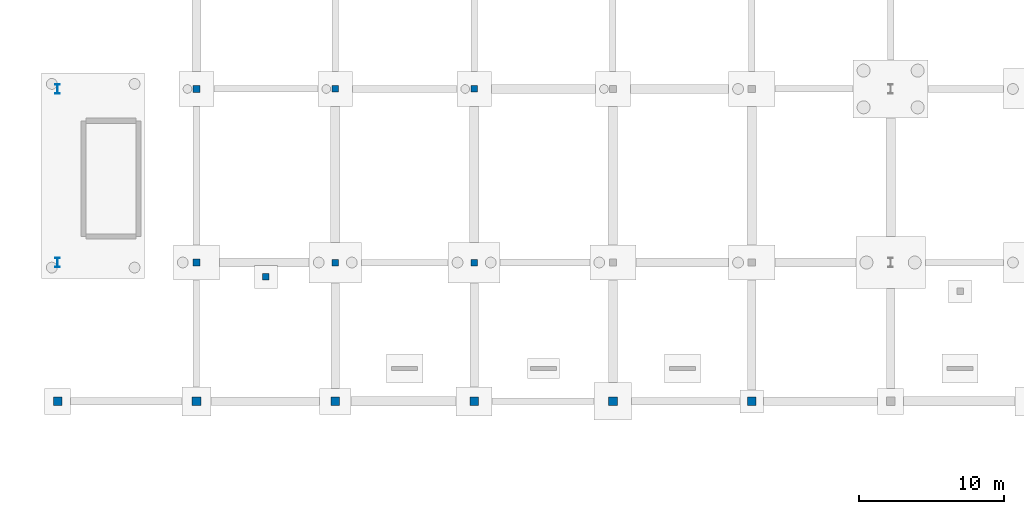
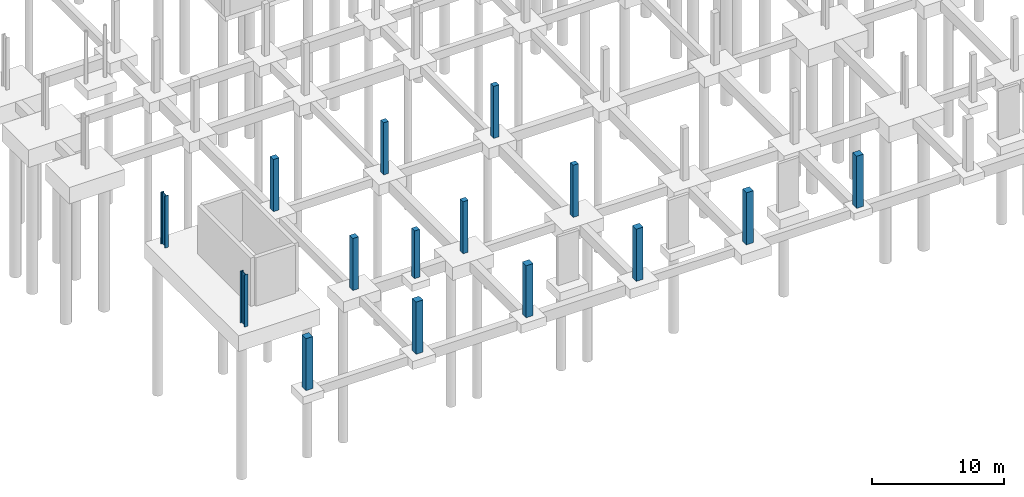
# One storey, part 7 of 31: 15 columns.
"""IFC4 building model written with IfcOpenShell, lengths in metres."""

from ifc_helpers import new_model, si_unit, direction, frame, origin, origin_2d, place, context, subcontext, project, spatial, rectangle, i_section, extrude, material, material_profile, profile_set, type_object, element, save


model = new_model("IFC4")

# Units and contexts
model_context = context("Model", 3, precision=1e-05, world=origin(), true_north=direction((0.0, 1.0)))
body_context = subcontext(model_context, "Body", "Model", "MODEL_VIEW")
ifc_project = project(units=[si_unit("LENGTHUNIT", "METRE"), si_unit("AREAUNIT", "SQUARE_METRE"), si_unit("VOLUMEUNIT", "CUBIC_METRE"), si_unit("PLANEANGLEUNIT", "RADIAN"), si_unit("MASSUNIT", "GRAM", prefix="KILO")], contexts=[model_context])

# Site, building, storey
site_placement = place(None, origin())
site = spatial("IfcSite", under=ifc_project, at=site_placement, CompositionType="ELEMENT")
building_placement = place(site_placement, origin())
building = spatial("IfcBuilding", under=site, at=building_placement, Name="Merenkruunu Market Hall", CompositionType="ELEMENT")
storey_placement = place(building_placement, frame((0.0, 0.0, -4.800048828125)))
storey = spatial("IfcBuildingStorey", under=building, at=storey_placement, Name="B1", CompositionType="ELEMENT", Elevation=-4.800048828125)

# Columns
ifc_material_1 = material(Name="Steel S355ML", Category="steel")
ifc_material_profile_1 = material_profile(ifc_material_1, i_section(OverallWidth=0.300048828125, OverallDepth=0.64990234375, WebThickness=0.01611328125, FlangeThickness=0.031005859375, FilletRadius=0.027099609375, at=origin_2d()), Name="HEB 650")
ifc_profile_set_1 = profile_set([ifc_material_profile_1], Name="Steel S355ML")
column_type_1 = type_object("IfcColumnType", Name="Structural Column C01", PredefinedType="COLUMN", material=ifc_profile_set_1)
for number, where, z_axis, x_axis, name in (
    (1, (0.0, 15.60009765625, 0.0), (0.0, 0.0, 1.0), (1.0, 0.0, 0.0), "COL-B1-A-03"),
    (2, (0.0, 27.60009765625, 0.0), (0.0, 0.0, 1.0), (1.0, 0.0, 0.0), "COL-B1-A-04"),
):
    element("IfcColumn", number, at=place(storey_placement, frame(where, z_axis=z_axis, x_axis=x_axis)), inside=storey, type_object=column_type_1, Name=name, PredefinedType="COLUMN", context=body_context, shape_type="SweptSolid", body=[
        extrude(i_section(OverallWidth=0.300048828125, OverallDepth=0.64990234375, WebThickness=0.01611328125, FlangeThickness=0.031005859375, FilletRadius=0.027099609375, at=origin_2d()), origin(), (0.0, 0.0, 1.0), 4.800048828125),
    ])
ifc_material_2 = material(Name="Concrete C35/45", Category="concrete")
ifc_material_profile_2 = material_profile(ifc_material_2, rectangle(XDim=0.60009765625, YDim=0.60009765625, at=origin_2d()), Name="RC 600x600")
ifc_profile_set_2 = profile_set([ifc_material_profile_2], Name="Concrete C35/45")
column_type_2 = type_object("IfcColumnType", Name="Structural Column C17", PredefinedType="COLUMN", material=ifc_profile_set_2)
for number, where, z_axis, x_axis, name in (
    (3, (0.0, 6.0, 0.0), (0.0, 0.0, 1.0), (1.0, 0.0, 0.0), "COL-B1-A-02"),
    (4, (9.60009765625, 6.0, 0.0), (0.0, 0.0, 1.0), (1.0, 0.0, 0.0), "COL-B1-B-02"),
    (5, (19.199951171875, 6.0, 0.0), (0.0, 0.0, 1.0), (1.0, 0.0, 0.0), "COL-B1-C-02"),
    (6, (28.800048828125, 6.0, 0.0), (0.0, 0.0, 1.0), (1.0, 0.0, 0.0), "COL-B1-D-02"),
    (7, (38.39990234375, 6.0, 0.0), (0.0, 0.0, 1.0), (1.0, 0.0, 0.0), "COL-B1-E-02"),
    (8, (48.0, 6.0, 0.0), (0.0, 0.0, 1.0), (1.0, 0.0, 0.0), "COL-B1-F-02"),
):
    element("IfcColumn", number, at=place(storey_placement, frame(where, z_axis=z_axis, x_axis=x_axis)), inside=storey, type_object=column_type_2, Name=name, PredefinedType="COLUMN", context=body_context, shape_type="SweptSolid", body=[
        extrude(rectangle(XDim=0.60009765625, YDim=0.60009765625, at=origin_2d()), origin(), (0.0, 0.0, 1.0), 4.800048828125),
    ])
ifc_material_profile_3 = material_profile(ifc_material_2, rectangle(XDim=0.5, YDim=0.5, at=origin_2d()), Name="RC 500x500")
ifc_profile_set_3 = profile_set([ifc_material_profile_3], Name="Concrete C35/45")
column_type_3 = type_object("IfcColumnType", Name="Structural Column C18", PredefinedType="COLUMN", material=ifc_profile_set_3)
for number, where, z_axis, x_axis, name in (
    (9, (9.60009765625, 15.60009765625, 0.0), (0.0, 0.0, 1.0), (1.0, 0.0, 0.0), "COL-B1-B-03"),
    (10, (9.60009765625, 27.60009765625, 0.0), (0.0, 0.0, 1.0), (1.0, 0.0, 0.0), "COL-B1-B-04"),
):
    element("IfcColumn", number, at=place(storey_placement, frame(where, z_axis=z_axis, x_axis=x_axis)), inside=storey, type_object=column_type_3, Name=name, PredefinedType="COLUMN", context=body_context, shape_type="SweptSolid", body=[
        extrude(rectangle(XDim=0.5, YDim=0.5, at=origin_2d()), origin(), (0.0, 0.0, 1.0), 4.800048828125),
    ])
ifc_material_profile_4 = material_profile(ifc_material_2, rectangle(XDim=0.449951171875, YDim=0.449951171875, at=origin_2d()), Name="RC 450x450")
ifc_profile_set_4 = profile_set([ifc_material_profile_4], Name="Concrete C35/45")
column_type_4 = type_object("IfcColumnType", Name="Structural Column C19", PredefinedType="COLUMN", material=ifc_profile_set_4)
for number, where, z_axis, x_axis, name in (
    (11, (19.199951171875, 15.60009765625, 0.0), (0.0, 0.0, 1.0), (1.0, 0.0, 0.0), "COL-B1-C-03"),
    (12, (19.199951171875, 27.60009765625, 0.0), (0.0, 0.0, 1.0), (1.0, 0.0, 0.0), "COL-B1-C-04"),
    (13, (28.800048828125, 15.60009765625, 0.0), (0.0, 0.0, 1.0), (1.0, 0.0, 0.0), "COL-B1-D-03"),
    (14, (28.800048828125, 27.60009765625, 0.0), (0.0, 0.0, 1.0), (1.0, 0.0, 0.0), "COL-B1-D-04"),
):
    element("IfcColumn", number, at=place(storey_placement, frame(where, z_axis=z_axis, x_axis=x_axis)), inside=storey, type_object=column_type_4, Name=name, PredefinedType="COLUMN", context=body_context, shape_type="SweptSolid", body=[
        extrude(rectangle(XDim=0.449951171875, YDim=0.449951171875, at=origin_2d()), origin(), (0.0, 0.0, 1.0), 4.800048828125),
    ])
column_placement = place(storey_placement, frame((14.39990234375, 14.60009765625, 0.0), z_axis=(0.0, 0.0, 1.0), x_axis=(1.0, 0.0, 0.0)))
element("IfcColumn", 15, at=column_placement, inside=storey, type_object=column_type_4, Name="COL-APRONPIER-01", PredefinedType="COLUMN", context=body_context, shape_type="SweptSolid", body=[
    extrude(rectangle(XDim=0.449951171875, YDim=0.449951171875, at=origin_2d()), origin(), (0.0, 0.0, 1.0), 4.400146484375),
])

save(model, "model.ifc")
